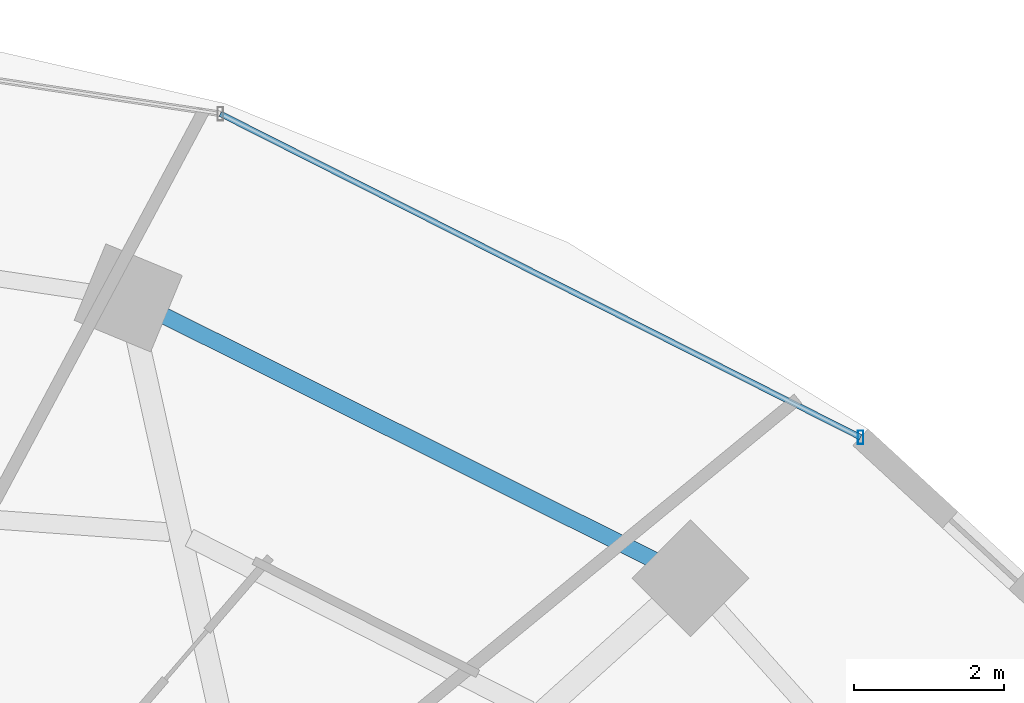
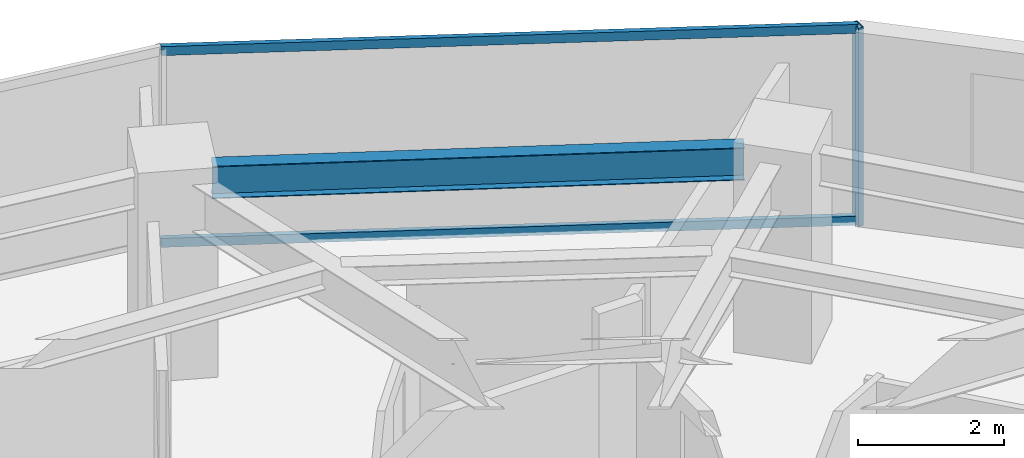
# One storey, part 19 of 29: 3 members, 1 beam, 1 element without a shape of its own.
"""IFC4 building model written with IfcOpenShell, lengths in metres."""

from ifc_helpers import new_model, si_unit, direction, frame, origin, origin_2d, place, context, subcontext, project, spatial, hollow_rectangle, i_section, extrude, material, material_profile, profile_set, type_object, element, aggregate, save


model = new_model("IFC4")

# Units and contexts
model_context = context("Model", 3, precision=1e-05, world=origin(), true_north=direction((0.0, 1.0)))
body_context = subcontext(model_context, "Body", "Model", "MODEL_VIEW")
ifc_project = project(units=[si_unit("LENGTHUNIT", "METRE"), si_unit("AREAUNIT", "SQUARE_METRE"), si_unit("VOLUMEUNIT", "CUBIC_METRE"), si_unit("PLANEANGLEUNIT", "RADIAN"), si_unit("MASSUNIT", "GRAM", prefix="KILO")], contexts=[model_context])

# Site, building, storey
site_placement = place(None, origin())
site = spatial("IfcSite", under=ifc_project, at=site_placement, CompositionType="ELEMENT")
building_placement = place(site_placement, origin())
building = spatial("IfcBuilding", under=site, at=building_placement, Name="Vorneva Point Tower", CompositionType="ELEMENT")
storey_placement = place(building_placement, frame((0.0, 0.0, 110.300048828125)))
storey = spatial("IfcBuildingStorey", under=building, at=storey_placement, Name="L29", CompositionType="ELEMENT", Elevation=110.300048828125)

# Beam
ifc_material_1 = material(Name="Steel S355", Category="steel")
ifc_material_profile_1 = material_profile(ifc_material_1, i_section(OverallWidth=0.219970703125, OverallDepth=0.54296875, WebThickness=0.009521484375, FlangeThickness=0.013427734375, at=origin_2d()), Name="55B1")
ifc_profile_set_1 = profile_set([ifc_material_profile_1], Name="Steel S355")
beam_type = type_object("IfcBeamType", Name="BM-SPN-55B1", PredefinedType="SPANDREL", material=ifc_profile_set_1)
beam_placement = place(storey_placement, frame((53.820068359375, 38.40087890625, 2.968505859375), z_axis=(-0.894915882304, 0.446234874926, 0.0), x_axis=(-0.446234874926, -0.894915882304, 0.0)))
element("IfcBeam", 1, at=beam_placement, inside=storey, type_object=beam_type, Name="L29 Perimeter Spandrel Ring Beam 03", PredefinedType="SPANDREL", context=body_context, shape_type="SweptSolid", body=[
    extrude(i_section(OverallWidth=0.219970703125, OverallDepth=0.54296875, WebThickness=0.009521484375, FlangeThickness=0.013427734375, at=origin_2d()), origin(), (0.0, 0.0, 1.0), 7.285888671875),
])

# Curtain wall, members
ifc_material_2 = material(Name="Pale anodised aluminium", Category="aluminium")
curtain_wall_type = type_object("IfcCurtainWallType", Name="CW-HTL-SYS", PredefinedType="NOTDEFINED", material=ifc_material_2)
curtain_wall_placement = place(storey_placement, origin())
curtain_wall = element("IfcCurtainWall", 2, at=curtain_wall_placement, inside=storey, type_object=curtain_wall_type, Name="L29 Unitised Curtain Wall CW-L29-R02", PredefinedType="NOTDEFINED")
ifc_material_profile_2 = material_profile(ifc_material_2, hollow_rectangle(XDim=0.074951171875, YDim=0.179931640625, WallThickness=0.00390625, at=origin_2d()), Name="AL-MUL 180x75x4")
ifc_profile_set_2 = profile_set([ifc_material_profile_2], Name="Pale anodised aluminium")
member_type_1 = type_object("IfcMemberType", Name="CW-MUL-180", PredefinedType="MULLION", material=ifc_profile_set_2)
member_1_placement = place(storey_placement, frame((56.5615234375, 40.0361328125, -0.0400390625), z_axis=(0.0, 0.0, 1.0), x_axis=(1.0, 0.0, 0.0)))
member_1 = element("IfcMember", 3, at=member_1_placement, type_object=member_type_1, Name="CW-L29-R02 Mullion 01", PredefinedType="MULLION", context=body_context, shape_type="SweptSolid", body=[
    extrude(hollow_rectangle(XDim=0.074951171875, YDim=0.179931640625, WallThickness=0.00390625, at=origin_2d()), origin(), (0.0, 0.0, 1.0), 3.31005859375),
])
ifc_material_profile_3 = material_profile(ifc_material_2, hollow_rectangle(XDim=0.074951171875, YDim=0.14990234375, WallThickness=0.00390625, at=origin_2d()), Name="AL-TRN 150x75x4")
ifc_profile_set_3 = profile_set([ifc_material_profile_3], Name="Pale anodised aluminium")
member_type_2 = type_object("IfcMemberType", Name="CW-TRN-150", PredefinedType="USERDEFINED", material=ifc_profile_set_3)
member_2_placement = place(storey_placement, frame((56.5615234375, 40.0361328125, 0.02001953125), z_axis=(-0.892536035732, 0.450976080207, 0.0), x_axis=(-0.450976080207, -0.892536035732, 0.0)))
member_2 = element("IfcMember", 4, at=member_2_placement, type_object=member_type_2, Name="CW-L29-R02 Transom 01.1", ObjectType="TRANSOM", PredefinedType="USERDEFINED", context=body_context, shape_type="SweptSolid", body=[
    extrude(hollow_rectangle(XDim=0.074951171875, YDim=0.14990234375, WallThickness=0.00390625, at=origin_2d()), origin(), (0.0, 0.0, 1.0), 9.54150390625),
])
member_3_placement = place(storey_placement, frame((56.5615234375, 40.0361328125, 3.219970703125), z_axis=(-0.892536035732, 0.450976080207, 0.0), x_axis=(-0.450976080207, -0.892536035732, 0.0)))
member_3 = element("IfcMember", 5, at=member_3_placement, type_object=member_type_2, Name="CW-L29-R02 Transom 01.2", ObjectType="TRANSOM", PredefinedType="USERDEFINED", context=body_context, shape_type="SweptSolid", body=[
    extrude(hollow_rectangle(XDim=0.074951171875, YDim=0.14990234375, WallThickness=0.00390625, at=origin_2d()), origin(), (0.0, 0.0, 1.0), 9.54150390625),
])
aggregate(curtain_wall, [member_1, member_2, member_3])

save(model, "model.ifc")
